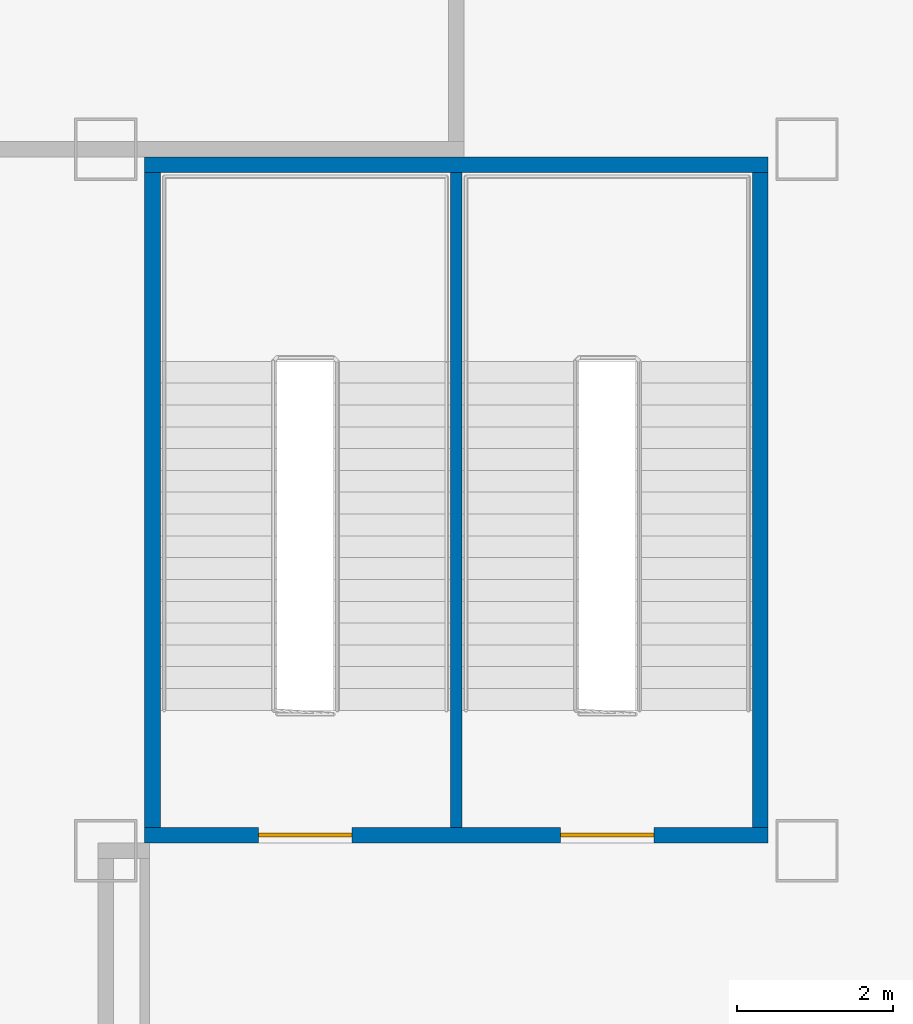
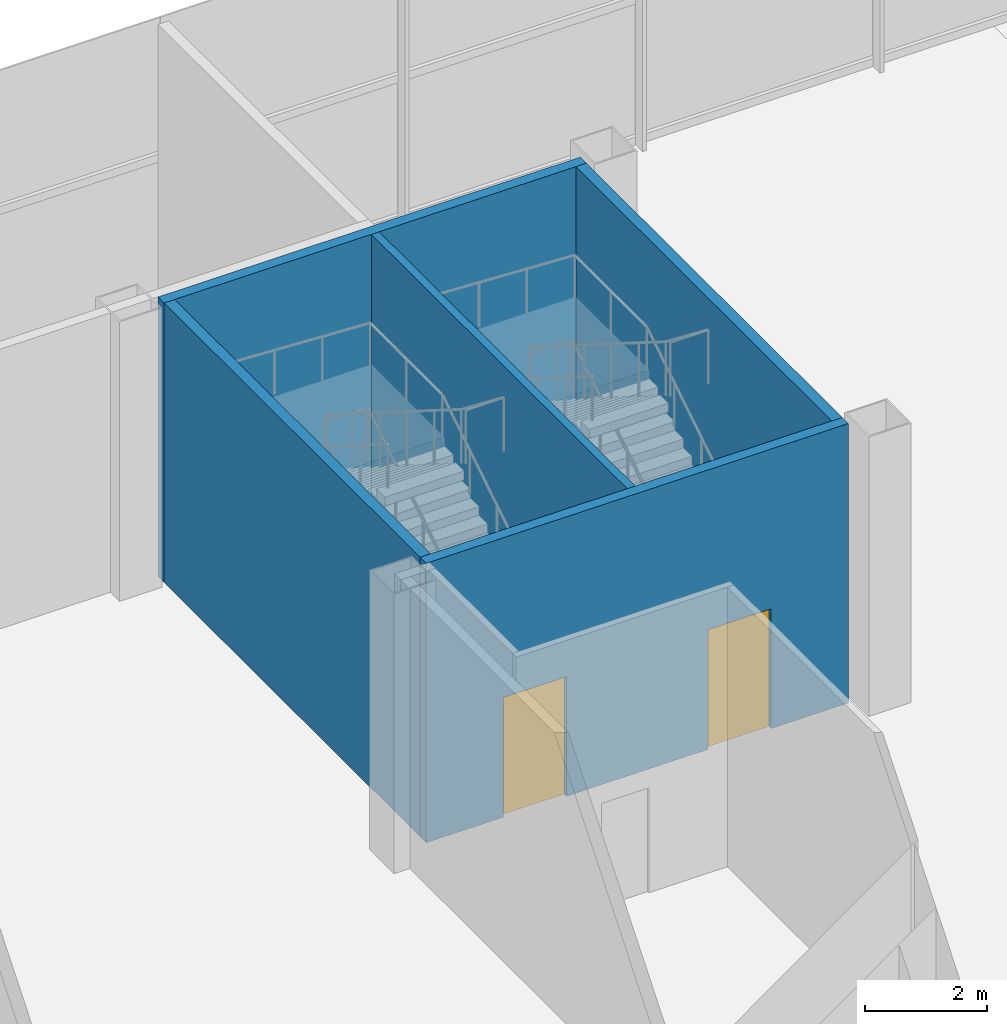
# One storey, part 25 of 38: 5 walls, 2 doors, 2 openings.
"""IFC4 building model written with IfcOpenShell, lengths in metres."""

from ifc_helpers import new_model, si_unit, direction, frame, frame_2d, origin, place, context, subcontext, project, spatial, rectangle, extrude, material, layer, layer_set, type_object, element, fill, save


model = new_model("IFC4")

# Units and contexts
model_context = context("Model", 3, precision=1e-05, world=origin(), true_north=direction((0.0, 1.0)))
body_context = subcontext(model_context, "Body", "Model", "MODEL_VIEW")
ifc_project = project(units=[si_unit("LENGTHUNIT", "METRE"), si_unit("AREAUNIT", "SQUARE_METRE"), si_unit("VOLUMEUNIT", "CUBIC_METRE"), si_unit("PLANEANGLEUNIT", "RADIAN"), si_unit("MASSUNIT", "GRAM", prefix="KILO")], contexts=[model_context])

# Site, building, storey
site_placement = place(None, origin())
site = spatial("IfcSite", under=ifc_project, at=site_placement, CompositionType="ELEMENT")
building_placement = place(site_placement, origin())
building = spatial("IfcBuilding", under=site, at=building_placement, Name="Shamsa Quay Exchange Towers", CompositionType="ELEMENT")
storey_placement = place(building_placement, frame((0.0, 0.0, 12.5)))
storey = spatial("IfcBuildingStorey", under=building, at=storey_placement, Name="L02", CompositionType="ELEMENT", Elevation=12.5)

# Wall, openings, doors
ifc_material_1 = material(Name="Concrete C50/60", Category="concrete")
ifc_layer_1 = layer(ifc_material_1, 0.199951171875)
ifc_layer_set_1 = layer_set([ifc_layer_1], Name="STAIR ENCLOSURE WALL 200 C50/60")
wall_type_1 = type_object("IfcWallType", Name="STAIR ENCLOSURE WALL 200 C50/60", PredefinedType="SHEAR", material=ifc_layer_set_1)
wall_1_placement = place(storey_placement, frame((-17.5, 15.949951171875, 0.0)))
wall_1 = element("IfcWall", 1, at=wall_1_placement, inside=storey, type_object=wall_type_1, Name="Stair enclosure wall PS2 inward", PredefinedType="SHEAR", context=body_context, shape_type="SweptSolid", body=[
    extrude(rectangle(XDim=8.0, YDim=0.199951171875, at=frame_2d((4.0, 0.0))), origin(), (0.0, 0.0, 1.0), 5.60009765625),
])
opening_1_placement = place(wall_1_placement, frame((1.46240234375, 0.0, 0.0)))
opening_1 = element("IfcOpeningElement", 2, at=opening_1_placement, cuts=wall_1, Name="Opening PS2A-L02-SD01", PredefinedType="OPENING", context=body_context, shape_type="SweptSolid", body=[
    extrude(rectangle(XDim=1.199951171875, YDim=2.39990234375, at=frame_2d((0.60009765625, 1.199951171875))), frame((0.0, 0.10986328125, 0.0), z_axis=(0.0, -1.0, 0.0), x_axis=(1.0, 0.0, 0.0)), (0.0, 0.0, 1.0), 0.219970703125),
])
opening_2_placement = place(wall_1_placement, frame((5.33740234375, 0.0, 0.0)))
opening_2 = element("IfcOpeningElement", 3, at=opening_2_placement, cuts=wall_1, Name="Opening PS2B-L02-SD01", PredefinedType="OPENING", context=body_context, shape_type="SweptSolid", body=[
    extrude(rectangle(XDim=1.199951171875, YDim=2.39990234375, at=frame_2d((0.60009765625, 1.199951171875))), frame((0.0, 0.10986328125, 0.0), z_axis=(0.0, -1.0, 0.0), x_axis=(1.0, 0.0, 0.0)), (0.0, 0.0, 1.0), 0.219970703125),
])
ifc_material_2 = material(Name="Steel, fire rated", Category="steel")
door_type = type_object("IfcDoorType", Name="PODIUM STAIR DOOR 1200", OperationType="SINGLE_SWING_LEFT", PredefinedType="DOOR", material=ifc_material_2)
door_1_placement = place(opening_1_placement, origin())
door_1 = element("IfcDoor", 4, at=door_1_placement, inside=storey, type_object=door_type, Name="PS2A-L02-SD01", OperationType="SINGLE_SWING_LEFT", OverallHeight=2.39990234375, OverallWidth=1.199951171875, PredefinedType="DOOR", context=body_context, shape_type="SweptSolid", body=[
    extrude(rectangle(XDim=1.199951171875, YDim=2.39990234375, at=frame_2d((0.60009765625, 1.199951171875))), frame((0.0, 0.02490234375, 0.0), z_axis=(0.0, -1.0, 0.0), x_axis=(1.0, 0.0, 0.0)), (0.0, 0.0, 1.0), 0.050048828125),
])
fill(opening_1, door_1)
door_2_placement = place(opening_2_placement, origin())
door_2 = element("IfcDoor", 5, at=door_2_placement, inside=storey, type_object=door_type, Name="PS2B-L02-SD01", OperationType="SINGLE_SWING_RIGHT", OverallHeight=2.39990234375, OverallWidth=1.199951171875, PredefinedType="DOOR", context=body_context, shape_type="SweptSolid", body=[
    extrude(rectangle(XDim=1.199951171875, YDim=2.39990234375, at=frame_2d((0.60009765625, 1.199951171875))), frame((0.0, 0.02490234375, 0.0), z_axis=(0.0, -1.0, 0.0), x_axis=(1.0, 0.0, 0.0)), (0.0, 0.0, 1.0), 0.050048828125),
])
fill(opening_2, door_2)

# Walls
wall_2_placement = place(storey_placement, frame((-17.5, 24.550048828125, 0.0)))
element("IfcWall", 6, at=wall_2_placement, inside=storey, type_object=wall_type_1, Name="Stair enclosure wall PS2 outward", PredefinedType="SHEAR", context=body_context, shape_type="SweptSolid", body=[
    extrude(rectangle(XDim=8.0, YDim=0.199951171875, at=frame_2d((4.0, 0.0))), origin(), (0.0, 0.0, 1.0), 5.60009765625),
])
for number, where, z_axis, x_axis, name in (
    (7, (-17.39990234375, 16.050048828125, 0.0), (0.0, 0.0, 1.0), (0.0, 1.0, 0.0), "Stair enclosure wall PS2 west"),
    (8, (-9.60009765625, 16.050048828125, 0.0), (0.0, 0.0, 1.0), (0.0, 1.0, 0.0), "Stair enclosure wall PS2 east"),
):
    element("IfcWall", number, at=place(storey_placement, frame(where, z_axis=z_axis, x_axis=x_axis)), inside=storey, type_object=wall_type_1, Name=name, PredefinedType="SHEAR", context=body_context, shape_type="SweptSolid", body=[
        extrude(rectangle(XDim=8.39990234375, YDim=0.199951171875, at=frame_2d((4.199951171875, 0.0))), origin(), (0.0, 0.0, 1.0), 5.60009765625),
    ])
ifc_layer_2 = layer(ifc_material_1, 0.14990234375)
ifc_layer_set_2 = layer_set([ifc_layer_2], Name="STAIR PARTITION WALL 150 C50/60")
wall_type_2 = type_object("IfcWallType", Name="STAIR PARTITION WALL 150 C50/60", PredefinedType="SHEAR", material=ifc_layer_set_2)
wall_3_placement = place(storey_placement, frame((-13.5, 16.050048828125, 0.0), z_axis=(0.0, 0.0, 1.0), x_axis=(0.0, 1.0, 0.0)))
element("IfcWall", 9, at=wall_3_placement, inside=storey, type_object=wall_type_2, Name="Stair enclosure wall PS2 between the stairs", PredefinedType="SHEAR", context=body_context, shape_type="SweptSolid", body=[
    extrude(rectangle(XDim=8.39990234375, YDim=0.14990234375, at=frame_2d((4.199951171875, 0.0))), origin(), (0.0, 0.0, 1.0), 5.60009765625),
])

save(model, "model.ifc")
